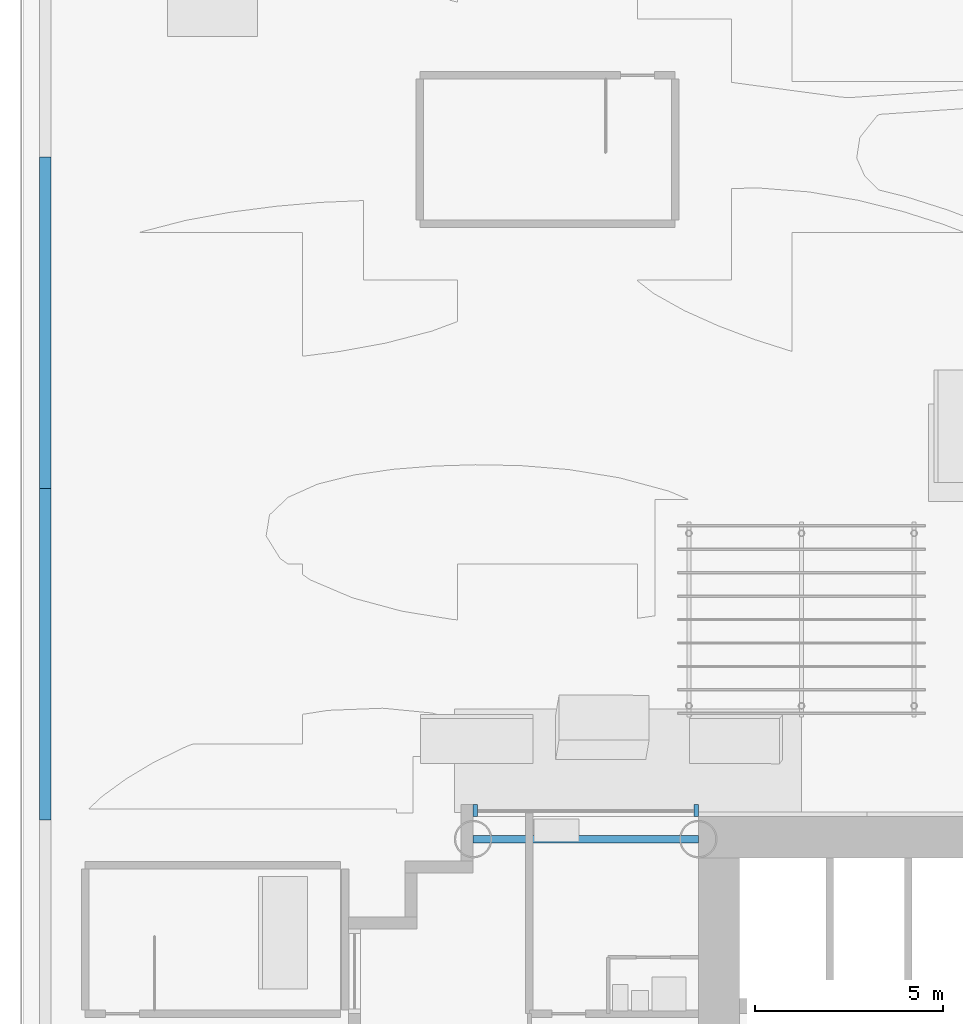
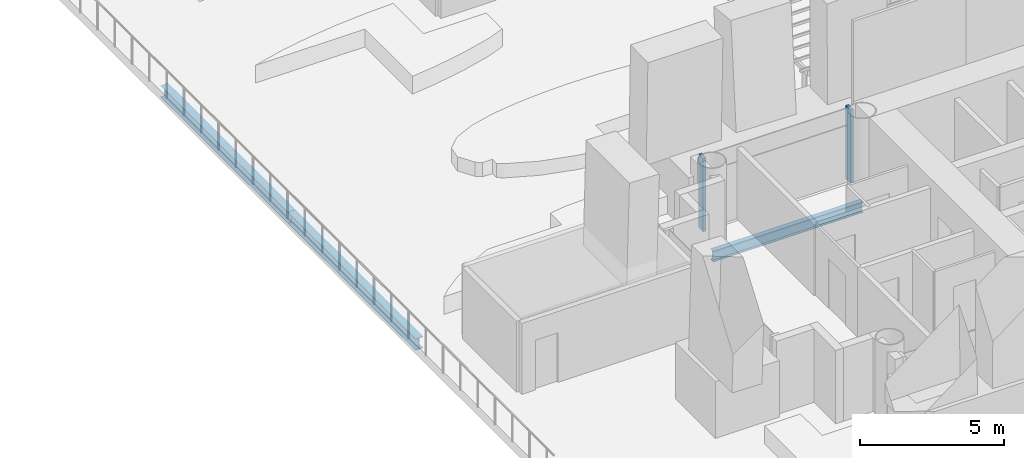
# One storey, part 9 of 40: 3 beams, 2 members, 1 element without a shape of its own.
"""IFC4 building model written with IfcOpenShell, lengths in metres."""

from ifc_helpers import new_model, si_unit, direction, frame, origin, origin_2d, place, context, subcontext, project, spatial, rectangle, i_section, extrude, material, layer, layer_set, material_profile, profile_set, type_object, element, aggregate, save


model = new_model("IFC4")

# Units and contexts
model_context = context("Model", 3, precision=1e-05, world=origin(), true_north=direction((0.0, 1.0)))
body_context = subcontext(model_context, "Body", "Model", "MODEL_VIEW")
ifc_project = project(units=[si_unit("LENGTHUNIT", "METRE"), si_unit("AREAUNIT", "SQUARE_METRE"), si_unit("VOLUMEUNIT", "CUBIC_METRE"), si_unit("PLANEANGLEUNIT", "RADIAN"), si_unit("MASSUNIT", "GRAM", prefix="KILO")], contexts=[model_context])

# Site, building, storey
site_placement = place(None, origin())
site = spatial("IfcSite", under=ifc_project, at=site_placement, CompositionType="ELEMENT")
building_placement = place(site_placement, origin())
building = spatial("IfcBuilding", under=site, at=building_placement, Name="Ipe Terrace Towers", CompositionType="ELEMENT")
storey_placement = place(building_placement, frame((0.0, 0.0, 24.5)))
storey = spatial("IfcBuildingStorey", under=building, at=storey_placement, Name="L05", CompositionType="ELEMENT", Elevation=24.5)

# Beams
ifc_material_1 = material(Name="Steel S355", Category="steel")
ifc_material_profile_1 = material_profile(ifc_material_1, i_section(OverallWidth=0.199951171875, OverallDepth=0.449951171875, WebThickness=0.009033203125, FlangeThickness=0.013916015625, at=origin_2d()), Name="H-450x200x9x14")
ifc_profile_set_1 = profile_set([ifc_material_profile_1], Name="Steel S355")
beam_type_1 = type_object("IfcBeamType", Name="H08 EDGE BEAM H-450x200x9x14", PredefinedType="BEAM", material=ifc_profile_set_1)
beam_1_placement = place(storey_placement, frame((-51.75, 6.14990234375, -0.625), z_axis=(-1.0, 0.0, 0.0), x_axis=(0.0, -1.0, 0.0)))
element("IfcBeam", 1, at=beam_1_placement, inside=storey, type_object=beam_type_1, Name="Edge beam T1-EB-C02-C04", PredefinedType="BEAM", context=body_context, shape_type="SweptSolid", body=[
    extrude(i_section(OverallWidth=0.199951171875, OverallDepth=0.449951171875, WebThickness=0.009033203125, FlangeThickness=0.013916015625, at=origin_2d()), origin(), (0.0, 0.0, 1.0), 6.0),
])
ifc_material_2 = material(Name="Steel S355", Category="steel")
ifc_material_profile_2 = material_profile(ifc_material_2, i_section(OverallWidth=0.300048828125, OverallDepth=0.488037109375, WebThickness=0.010986328125, FlangeThickness=0.01806640625, at=origin_2d()), Name="H-488x300x11x18")
ifc_profile_set_2 = profile_set([ifc_material_profile_2], Name="Steel S355")
beam_type_2 = type_object("IfcBeamType", Name="H09 EDGE BEAM H-488x300x11x18", PredefinedType="BEAM", material=ifc_profile_set_2)
beam_2_placement = place(storey_placement, frame((-69.14990234375, 6.6640625, -0.6689453125), z_axis=(0.0, 1.0, 0.0), x_axis=(-1.0, 0.0, 0.0)))
element("IfcBeam", 2, at=beam_2_placement, inside=storey, type_object=beam_type_2, Name="Edge beam PD-EB-H01-I01", PredefinedType="BEAM", context=body_context, shape_type="SweptSolid", body=[
    extrude(i_section(OverallWidth=0.300048828125, OverallDepth=0.488037109375, WebThickness=0.010986328125, FlangeThickness=0.01806640625, at=origin_2d()), origin(), (0.0, 0.0, 1.0), 8.828857421875),
])
beam_3_placement = place(storey_placement, frame((-69.14990234375, 15.492919921875, -0.6689453125), z_axis=(0.0, 1.0, 0.0), x_axis=(-1.0, 0.0, 0.0)))
element("IfcBeam", 3, at=beam_3_placement, inside=storey, type_object=beam_type_2, Name="Edge beam PD-EB-I01-J01", PredefinedType="BEAM", context=body_context, shape_type="SweptSolid", body=[
    extrude(i_section(OverallWidth=0.300048828125, OverallDepth=0.488037109375, WebThickness=0.010986328125, FlangeThickness=0.01806640625, at=origin_2d()), origin(), (0.0, 0.0, 1.0), 8.828125),
])

# Curtain wall, members
ifc_material_3 = material(Name="Aluminium alloy 6063-T6", Category="aluminium")
ifc_layer = layer(ifc_material_3, 0.320068359375)
ifc_layer_set = layer_set([ifc_layer], Name="TOWER UNITISED CURTAIN WALL")
curtain_wall_type = type_object("IfcCurtainWallType", Name="TOWER UNITISED CURTAIN WALL", PredefinedType="NOTDEFINED", material=ifc_layer_set)
curtain_wall_placement = place(storey_placement, origin())
curtain_wall = element("IfcCurtainWall", 4, at=curtain_wall_placement, inside=storey, type_object=curtain_wall_type, Name="T1-CW-L05-46b curtain wall", PredefinedType="NOTDEFINED")
ifc_material_4 = material(Name="Aluminium alloy 6063-T6", Category="aluminium")
ifc_material_profile_3 = material_profile(ifc_material_4, rectangle(XDim=0.320068359375, YDim=0.1201171875, at=origin_2d()), Name="TOWER UNITISED CORNER MULLION 320 x 120")
ifc_profile_set_3 = profile_set([ifc_material_profile_3], Name="Aluminium alloy 6063-T6")
member_type = type_object("IfcMemberType", Name="TOWER UNITISED CORNER MULLION 320 x 120", PredefinedType="MULLION", material=ifc_profile_set_3)
member_1_placement = place(storey_placement, frame((-51.81103515625, 6.909912109375, 0.0), z_axis=(0.0, 0.0, 1.0), x_axis=(0.0, 1.0, 0.0)))
member_1 = element("IfcMember", 5, at=member_1_placement, type_object=member_type, Name="T1-CW-L05-46b mullion 1", PredefinedType="MULLION", context=body_context, shape_type="SweptSolid", body=[
    extrude(rectangle(XDim=0.320068359375, YDim=0.1201171875, at=origin_2d()), origin(), (0.0, 0.0, 1.0), 3.10009765625),
])
member_2_placement = place(storey_placement, frame((-57.68994140625, 6.909912109375, 0.0), z_axis=(0.0, 0.0, 1.0), x_axis=(0.0, 1.0, 0.0)))
member_2 = element("IfcMember", 6, at=member_2_placement, type_object=member_type, Name="T1-CW-L05-46b mullion 2", PredefinedType="MULLION", context=body_context, shape_type="SweptSolid", body=[
    extrude(rectangle(XDim=0.320068359375, YDim=0.1201171875, at=origin_2d()), origin(), (0.0, 0.0, 1.0), 3.10009765625),
])
aggregate(curtain_wall, [member_1, member_2])

save(model, "model.ifc")
